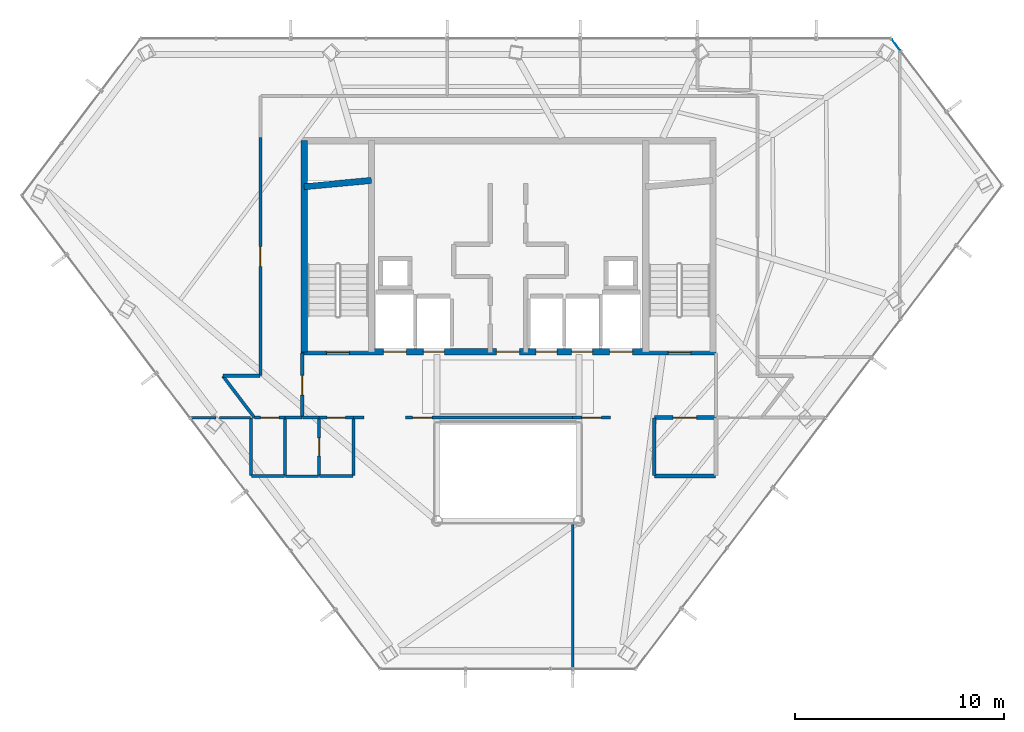
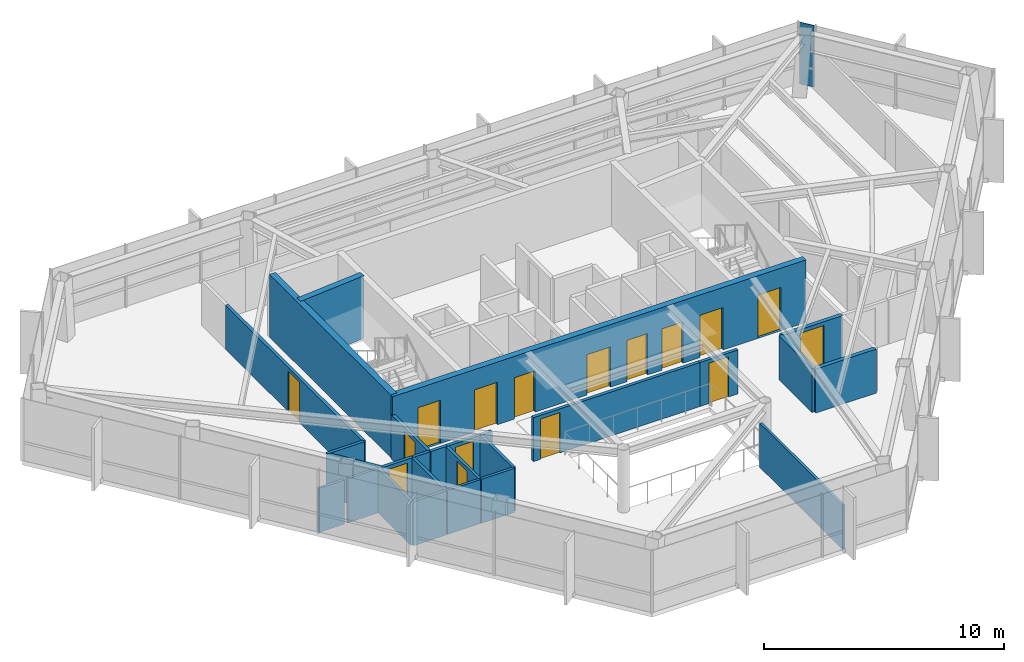
# One storey, part 24 of 27: 27 walls, 16 doors, 1 plate, 16 openings, 1 element without a shape of its own.
"""IFC4 building model written with IfcOpenShell, lengths in metres."""

from ifc_helpers import new_model, si_unit, direction, frame, frame_2d, origin, origin_2d, place, context, subcontext, project, spatial, rectangle, extrude, material, layer, layer_set, type_object, element, fill, aggregate, save


model = new_model("IFC4")

# Units and contexts
model_context = context("Model", 3, precision=1e-05, world=origin(), true_north=direction((0.0, 1.0)))
body_context = subcontext(model_context, "Body", "Model", "MODEL_VIEW")
ifc_project = project(units=[si_unit("LENGTHUNIT", "METRE"), si_unit("AREAUNIT", "SQUARE_METRE"), si_unit("VOLUMEUNIT", "CUBIC_METRE"), si_unit("PLANEANGLEUNIT", "RADIAN"), si_unit("MASSUNIT", "GRAM", prefix="KILO")], contexts=[model_context])

# Site, building, storey
site_placement = place(None, origin())
site = spatial("IfcSite", under=ifc_project, at=site_placement, CompositionType="ELEMENT")
building_placement = place(site_placement, origin())
building = spatial("IfcBuilding", under=site, at=building_placement, Name="Zarrinselat Tower", CompositionType="ELEMENT")
storey_placement = place(building_placement, frame((0.0, 0.0, 225.760009765625)))
storey = spatial("IfcBuildingStorey", under=building, at=storey_placement, Name="L56", CompositionType="ELEMENT", Elevation=225.760009765625)

# Curtain wall, plate
ifc_material_1 = material(Name="Extruded Aluminium Alloy EN AW-6063 T6", Category="aluminium")
ifc_layer_1 = layer(ifc_material_1, 0.169921875)
ifc_layer_set_1 = layer_set([ifc_layer_1], Name="Extruded Aluminium Alloy EN AW-6063 T6")
curtain_wall_type = type_object("IfcCurtainWallType", Name="CWS-RES", PredefinedType="NOTDEFINED", material=ifc_layer_set_1)
curtain_wall_placement = place(storey_placement, origin())
curtain_wall = element("IfcCurtainWall", 1, at=curtain_wall_placement, inside=storey, type_object=curtain_wall_type, Name="L56 Unitised Curtain Wall CW-L56-E06", PredefinedType="NOTDEFINED")
ifc_material_2 = material(Name="Double Low-E Laminated Solar Glass", Category="glass")
ifc_layer_2 = layer(ifc_material_2, 0.028076171875)
ifc_layer_set_2 = layer_set([ifc_layer_2], Name="Double Low-E Laminated Solar Glass")
plate_type = type_object("IfcPlateType", Name="PLT-CW-GL28", PredefinedType="CURTAIN_PANEL", material=ifc_layer_set_2)
plate_placement = place(storey_placement, frame((56.968994140625, 47.991455078125, 0.02001953125), z_axis=(0.0, 0.0, 1.0), x_axis=(-0.603860312232, 0.797090160089, 0.0)))
plate = element("IfcPlate", 2, at=plate_placement, type_object=plate_type, Name="CW-L56-E06 Vision Glass Panel 3", PredefinedType="CURTAIN_PANEL", context=body_context, shape_type="SweptSolid", body=[
    extrude(rectangle(XDim=0.659912109375, YDim=0.028076171875, at=origin_2d()), origin(), (0.0, 0.0, 1.0), 3.139892578125),
])
aggregate(curtain_wall, [plate])

# Wall, opening, door
ifc_material_3 = material(Name="Concrete C40/50", Category="concrete")
ifc_layer_3 = layer(ifc_material_3, 0.18994140625)
ifc_layer_set_3 = layer_set([ifc_layer_3], Name="Concrete C40/50")
wall_type_1 = type_object("IfcWallType", Name="WAL-PART-EI120", PredefinedType="PARTITIONING", material=ifc_layer_set_3)
wall_1_placement = place(storey_placement, frame((45.405029296875, 30.14990234375, 0.0), z_axis=(0.0, 0.0, 1.0), x_axis=(1.0, 0.0, 0.0)))
wall_1 = element("IfcWall", 3, at=wall_1_placement, inside=storey, type_object=wall_type_1, Name="L56 Partition Wall 11", PredefinedType="PARTITIONING", context=body_context, shape_type="SweptSolid", body=[
    extrude(rectangle(XDim=2.925048828125, YDim=0.18994140625, at=frame_2d((1.46240234375, 0.0))), origin(), (0.0, 0.0, 1.0), 2.235107421875),
])
opening_1_placement = place(wall_1_placement, frame((0.902587890625, 0.0, 0.0)))
opening_1 = element("IfcOpeningElement", 4, at=opening_1_placement, cuts=wall_1, Name="Opening ID-02", PredefinedType="OPENING", context=body_context, shape_type="SweptSolid", body=[
    extrude(rectangle(XDim=1.1201171875, YDim=2.050048828125, at=frame_2d((0.56005859375, 1.02490234375))), frame((0.0, 0.10498046875, 0.0), z_axis=(0.0, -1.0, 0.0), x_axis=(1.0, 0.0, 0.0)), (0.0, 0.0, 1.0), 0.2099609375),
])
ifc_material_4 = material(Name="Steel S355J2", Category="steel")
door_type_1 = type_object("IfcDoorType", Name="DR-INT-FD60-W", OperationType="NOTDEFINED", PredefinedType="DOOR", material=ifc_material_4)
door_1_placement = place(opening_1_placement, origin())
door_1 = element("IfcDoor", 5, at=door_1_placement, inside=storey, type_object=door_type_1, Name="L56 Interior Door P11", OperationType="SINGLE_SWING_RIGHT", OverallHeight=2.050048828125, OverallWidth=1.1201171875, PredefinedType="DOOR", context=body_context, shape_type="SweptSolid", body=[
    extrude(rectangle(XDim=1.1201171875, YDim=2.050048828125, at=frame_2d((0.56005859375, 1.02490234375))), frame((0.0, 0.02490234375, 0.0), z_axis=(0.0, -1.0, 0.0), x_axis=(1.0, 0.0, 0.0)), (0.0, 0.0, 1.0), 0.050048828125),
])
fill(opening_1, door_1)

# Walls
wall_2_placement = place(storey_placement, frame((45.419921875, 27.35009765625, 0.0), z_axis=(0.0, 0.0, 1.0), x_axis=(1.0, 0.0, 0.0)))
element("IfcWall", 6, at=wall_2_placement, inside=storey, type_object=wall_type_1, Name="L56 Partition Wall 19", PredefinedType="PARTITIONING", context=body_context, shape_type="SweptSolid", body=[
    extrude(rectangle(XDim=2.91015625, YDim=0.18994140625, at=frame_2d((1.455078125, 0.0))), origin(), (0.0, 0.0, 1.0), 2.235107421875),
])
wall_3_placement = place(storey_placement, frame((45.39990234375, 27.3701171875, 0.0), z_axis=(0.0, 0.0, 1.0), x_axis=(0.0, 1.0, 0.0)))
element("IfcWall", 7, at=wall_3_placement, inside=storey, type_object=wall_type_1, Name="L56 Partition Wall 20", PredefinedType="PARTITIONING", context=body_context, shape_type="SweptSolid", body=[
    extrude(rectangle(XDim=2.759765625, YDim=0.18994140625, at=frame_2d((1.3798828125, 0.0))), origin(), (0.0, 0.0, 1.0), 2.235107421875),
])

# Wall, opening, door
ifc_material_5 = material(Name="Fire-Rated Gypsum Board Partition", Category="gypsum")
ifc_layer_4 = layer(ifc_material_5, 0.14990234375)
ifc_layer_set_4 = layer_set([ifc_layer_4], Name="Fire-Rated Gypsum Board Partition")
wall_type_2 = type_object("IfcWallType", Name="WAL-PART-EI60", PredefinedType="PARTITIONING", material=ifc_layer_set_4)
wall_4_placement = place(storey_placement, frame((28.550048828125, 30.169921875, 0.0), z_axis=(0.0, 0.0, 1.0), x_axis=(0.0, 1.0, 0.0)))
wall_4 = element("IfcWall", 8, at=wall_4_placement, inside=storey, type_object=wall_type_2, Name="L56 Partition Wall 12", PredefinedType="PARTITIONING", context=body_context, shape_type="SweptSolid", body=[
    extrude(rectangle(XDim=3.06005859375, YDim=0.14990234375, at=frame_2d((1.530029296875, 0.0))), origin(), (0.0, 0.0, 1.0), 2.235107421875),
])
opening_2_placement = place(wall_4_placement, frame((1.06005859375, 0.0, 0.0)))
opening_2 = element("IfcOpeningElement", 9, at=opening_2_placement, cuts=wall_4, Name="Opening ID-04", PredefinedType="OPENING", context=body_context, shape_type="SweptSolid", body=[
    extrude(rectangle(XDim=0.93994140625, YDim=2.050048828125, at=frame_2d((0.469970703125, 1.02490234375))), frame((0.0, 0.0849609375, 0.0), z_axis=(0.0, -1.0, 0.0), x_axis=(1.0, 0.0, 0.0)), (0.0, 0.0, 1.0), 0.169921875),
])
ifc_material_6 = material(Name="Fire-Rated Gypsum Board Partition")
door_type_2 = type_object("IfcDoorType", Name="DR-INT-FD30-ENT", OperationType="NOTDEFINED", PredefinedType="DOOR", material=ifc_material_6)
door_2_placement = place(opening_2_placement, origin())
door_2 = element("IfcDoor", 10, at=door_2_placement, inside=storey, type_object=door_type_2, Name="L56 Interior Door P12", OperationType="SINGLE_SWING_LEFT", OverallHeight=2.050048828125, OverallWidth=0.93994140625, PredefinedType="DOOR", context=body_context, shape_type="SweptSolid", body=[
    extrude(rectangle(XDim=0.93994140625, YDim=2.050048828125, at=frame_2d((0.469970703125, 1.02490234375))), frame((0.0, 0.02490234375, 0.0), z_axis=(0.0, -1.0, 0.0), x_axis=(1.0, 0.0, 0.0)), (0.0, 0.0, 1.0), 0.050048828125),
])
fill(opening_2, door_2)

wall_5_placement = place(storey_placement, frame((29.364990234375, 30.14990234375, 0.0), z_axis=(0.0, 0.0, 1.0), x_axis=(1.0, 0.0, 0.0)))
wall_5 = element("IfcWall", 11, at=wall_5_placement, inside=storey, type_object=wall_type_2, Name="L56 Partition Wall 14", PredefinedType="PARTITIONING", context=body_context, shape_type="SweptSolid", body=[
    extrude(rectangle(XDim=1.630126953125, YDim=0.14990234375, at=frame_2d((0.81494140625, 0.0))), origin(), (0.0, 0.0, 1.0), 2.235107421875),
])
opening_3_placement = place(wall_5_placement, frame((0.375, 0.0, 0.0)))
opening_3 = element("IfcOpeningElement", 12, at=opening_3_placement, cuts=wall_5, Name="Opening ID-03", PredefinedType="OPENING", context=body_context, shape_type="SweptSolid", body=[
    extrude(rectangle(XDim=0.8798828125, YDim=2.050048828125, at=frame_2d((0.43994140625, 1.02490234375))), frame((0.0, 0.0849609375, 0.0), z_axis=(0.0, -1.0, 0.0), x_axis=(1.0, 0.0, 0.0)), (0.0, 0.0, 1.0), 0.169921875),
])
ifc_material_7 = material(Name="Steel S355J2", Category="steel")
door_type_3 = type_object("IfcDoorType", Name="DR-INT-FD60-S", OperationType="NOTDEFINED", PredefinedType="DOOR", material=ifc_material_7)
door_3_placement = place(opening_3_placement, origin())
door_3 = element("IfcDoor", 13, at=door_3_placement, inside=storey, type_object=door_type_3, Name="L56 Interior Door P14", OperationType="SINGLE_SWING_RIGHT", OverallHeight=2.050048828125, OverallWidth=0.8798828125, PredefinedType="DOOR", context=body_context, shape_type="SweptSolid", body=[
    extrude(rectangle(XDim=0.8798828125, YDim=2.050048828125, at=frame_2d((0.43994140625, 1.02490234375))), frame((0.0, 0.02490234375, 0.0), z_axis=(0.0, -1.0, 0.0), x_axis=(1.0, 0.0, 0.0)), (0.0, 0.0, 1.0), 0.050048828125),
])
fill(opening_3, door_3)

# Wall
wall_6_placement = place(storey_placement, frame((28.570068359375, 30.14990234375, 0.0), z_axis=(0.0, 0.0, 1.0), x_axis=(1.0, 0.0, 0.0)))
element("IfcWall", 14, at=wall_6_placement, inside=storey, type_object=wall_type_2, Name="L56 Partition Wall 15", PredefinedType="PARTITIONING", context=body_context, shape_type="SweptSolid", body=[
    extrude(rectangle(XDim=0.784912109375, YDim=0.14990234375, at=frame_2d((0.392578125, 0.0))), origin(), (0.0, 0.0, 1.0), 2.235107421875),
])

# Wall, opening, door
wall_7_placement = place(storey_placement, frame((33.485107421875, 30.14990234375, 0.0), z_axis=(0.0, 0.0, 1.0), x_axis=(1.0, 0.0, 0.0)))
wall_7 = element("IfcWall", 15, at=wall_7_placement, inside=storey, type_object=wall_type_2, Name="L56 Partition Wall 16", PredefinedType="PARTITIONING", context=body_context, shape_type="SweptSolid", body=[
    extrude(rectangle(XDim=8.02978515625, YDim=0.14990234375, at=frame_2d((4.014892578125, 0.0))), origin(), (0.0, 0.0, 1.0), 2.235107421875),
])
opening_4_placement = place(wall_7_placement, frame((0.344970703125, 0.0, 0.0)))
opening_4 = element("IfcOpeningElement", 16, at=opening_4_placement, cuts=wall_7, Name="Opening ID-04", PredefinedType="OPENING", context=body_context, shape_type="SweptSolid", body=[
    extrude(rectangle(XDim=0.93994140625, YDim=2.050048828125, at=frame_2d((0.469970703125, 1.02490234375))), frame((0.0, 0.0849609375, 0.0), z_axis=(0.0, -1.0, 0.0), x_axis=(1.0, 0.0, 0.0)), (0.0, 0.0, 1.0), 0.169921875),
])
door_4_placement = place(opening_4_placement, origin())
door_4 = element("IfcDoor", 17, at=door_4_placement, inside=storey, type_object=door_type_2, Name="L56 Interior Door P16", OperationType="SINGLE_SWING_LEFT", OverallHeight=2.050048828125, OverallWidth=0.93994140625, PredefinedType="DOOR", context=body_context, shape_type="SweptSolid", body=[
    extrude(rectangle(XDim=0.93994140625, YDim=2.050048828125, at=frame_2d((0.469970703125, 1.02490234375))), frame((0.0, 0.02490234375, 0.0), z_axis=(0.0, -1.0, 0.0), x_axis=(1.0, 0.0, 0.0)), (0.0, 0.0, 1.0), 0.050048828125),
])
fill(opening_4, door_4)

# Wall
wall_8_placement = place(storey_placement, frame((31.0048828125, 30.14990234375, 0.0), z_axis=(0.0, 0.0, 1.0), x_axis=(1.0, 0.0, 0.0)))
element("IfcWall", 18, at=wall_8_placement, inside=storey, type_object=wall_type_2, Name="L56 Partition Wall 17", PredefinedType="PARTITIONING", context=body_context, shape_type="SweptSolid", body=[
    extrude(rectangle(XDim=0.510009765625, YDim=0.14990234375, at=frame_2d((0.2548828125, 0.0))), origin(), (0.0, 0.0, 1.0), 2.235107421875),
])

# Wall, opening, door
wall_9_placement = place(storey_placement, frame((41.485107421875, 30.14990234375, 0.0), z_axis=(0.0, 0.0, 1.0), x_axis=(1.0, 0.0, 0.0)))
wall_9 = element("IfcWall", 19, at=wall_9_placement, inside=storey, type_object=wall_type_2, Name="L56 Partition Wall 18", PredefinedType="PARTITIONING", context=body_context, shape_type="SweptSolid", body=[
    extrude(rectangle(XDim=1.829833984375, YDim=0.14990234375, at=frame_2d((0.9150390625, 0.0))), origin(), (0.0, 0.0, 1.0), 2.235107421875),
])
opening_5_placement = place(wall_9_placement, frame((0.445068359375, 0.0, 0.0)))
opening_5 = element("IfcOpeningElement", 20, at=opening_5_placement, cuts=wall_9, Name="Opening ID-04", PredefinedType="OPENING", context=body_context, shape_type="SweptSolid", body=[
    extrude(rectangle(XDim=0.93994140625, YDim=2.050048828125, at=frame_2d((0.469970703125, 1.02490234375))), frame((0.0, 0.0849609375, 0.0), z_axis=(0.0, -1.0, 0.0), x_axis=(1.0, 0.0, 0.0)), (0.0, 0.0, 1.0), 0.169921875),
])
door_5_placement = place(opening_5_placement, origin())
door_5 = element("IfcDoor", 21, at=door_5_placement, inside=storey, type_object=door_type_2, Name="L56 Interior Door P18", OperationType="SINGLE_SWING_RIGHT", OverallHeight=2.050048828125, OverallWidth=0.93994140625, PredefinedType="DOOR", context=body_context, shape_type="SweptSolid", body=[
    extrude(rectangle(XDim=0.93994140625, YDim=2.050048828125, at=frame_2d((0.469970703125, 1.02490234375))), frame((0.0, 0.02490234375, 0.0), z_axis=(0.0, -1.0, 0.0), x_axis=(1.0, 0.0, 0.0)), (0.0, 0.0, 1.0), 0.050048828125),
])
fill(opening_5, door_5)

wall_10_placement = place(storey_placement, frame((26.27490234375, 30.14990234375, 0.0), z_axis=(0.0, 0.0, 1.0), x_axis=(1.0, 0.0, 0.0)))
wall_10 = element("IfcWall", 22, at=wall_10_placement, inside=storey, type_object=wall_type_2, Name="L56 Partition Wall 22", PredefinedType="PARTITIONING", context=body_context, shape_type="SweptSolid", body=[
    extrude(rectangle(XDim=1.4501953125, YDim=0.14990234375, at=frame_2d((0.72509765625, 0.0))), origin(), (0.0, 0.0, 1.0), 2.235107421875),
])
opening_6_placement = place(wall_10_placement, frame((0.28515625, 0.0, 0.0)))
opening_6 = element("IfcOpeningElement", 23, at=opening_6_placement, cuts=wall_10, Name="Opening ID-03", PredefinedType="OPENING", context=body_context, shape_type="SweptSolid", body=[
    extrude(rectangle(XDim=0.8798828125, YDim=2.050048828125, at=frame_2d((0.43994140625, 1.02490234375))), frame((0.0, 0.0849609375, 0.0), z_axis=(0.0, -1.0, 0.0), x_axis=(1.0, 0.0, 0.0)), (0.0, 0.0, 1.0), 0.169921875),
])
door_6_placement = place(opening_6_placement, origin())
door_6 = element("IfcDoor", 24, at=door_6_placement, inside=storey, type_object=door_type_3, Name="L56 Interior Door P22", OperationType="SINGLE_SWING_LEFT", OverallHeight=2.050048828125, OverallWidth=0.8798828125, PredefinedType="DOOR", context=body_context, shape_type="SweptSolid", body=[
    extrude(rectangle(XDim=0.8798828125, YDim=2.050048828125, at=frame_2d((0.43994140625, 1.02490234375))), frame((0.0, 0.02490234375, 0.0), z_axis=(0.0, -1.0, 0.0), x_axis=(1.0, 0.0, 0.0)), (0.0, 0.0, 1.0), 0.050048828125),
])
fill(opening_6, door_6)

# Walls
wall_11_placement = place(storey_placement, frame((27.735107421875, 30.14990234375, 0.0), z_axis=(0.0, 0.0, 1.0), x_axis=(1.0, 0.0, 0.0)))
element("IfcWall", 25, at=wall_11_placement, inside=storey, type_object=wall_type_2, Name="L56 Partition Wall 23", PredefinedType="PARTITIONING", context=body_context, shape_type="SweptSolid", body=[
    extrude(rectangle(XDim=0.794921875, YDim=0.14990234375, at=frame_2d((0.3974609375, 0.0))), origin(), (0.0, 0.0, 1.0), 2.235107421875),
])
wall_12_placement = place(storey_placement, frame((24.7568359375, 32.134033203125, 0.0), z_axis=(0.0, 0.0, 1.0), x_axis=(0.603806698968, -0.797130773638, 0.0)))
element("IfcWall", 26, at=wall_12_placement, inside=storey, type_object=wall_type_2, Name="L56 Partition Wall 25", PredefinedType="PARTITIONING", context=body_context, shape_type="SweptSolid", body=[
    extrude(rectangle(XDim=2.489013671875, YDim=0.14990234375, at=frame_2d((1.24462890625, 0.0))), origin(), (0.0, 0.0, 1.0), 2.235107421875),
])
wall_13_placement = place(storey_placement, frame((24.7646484375, 32.14990234375, 0.0), z_axis=(0.0, 0.0, 1.0), x_axis=(1.0, 0.0, 0.0)))
element("IfcWall", 27, at=wall_13_placement, inside=storey, type_object=wall_type_2, Name="L56 Partition Wall 26", PredefinedType="PARTITIONING", context=body_context, shape_type="SweptSolid", body=[
    extrude(rectangle(XDim=1.765380859375, YDim=0.14990234375, at=frame_2d((0.8828125, 0.0))), origin(), (0.0, 0.0, 1.0), 2.235107421875),
])

# Wall, opening, door
wall_14_placement = place(storey_placement, frame((26.550048828125, 32.169921875, 0.0), z_axis=(0.0, 0.0, 1.0), x_axis=(0.0, 1.0, 0.0)))
wall_14 = element("IfcWall", 28, at=wall_14_placement, inside=storey, type_object=wall_type_2, Name="L56 Partition Wall 27", PredefinedType="PARTITIONING", context=body_context, shape_type="SweptSolid", body=[
    extrude(rectangle(XDim=11.380126953125, YDim=0.14990234375, at=frame_2d((5.68994140625, 0.0))), origin(), (0.0, 0.0, 1.0), 2.235107421875),
])
opening_7_placement = place(wall_14_placement, frame((5.219970703125, 0.0, 0.0)))
opening_7 = element("IfcOpeningElement", 29, at=opening_7_placement, cuts=wall_14, Name="Opening ID-04", PredefinedType="OPENING", context=body_context, shape_type="SweptSolid", body=[
    extrude(rectangle(XDim=0.93994140625, YDim=2.050048828125, at=frame_2d((0.469970703125, 1.02490234375))), frame((0.0, 0.0849609375, 0.0), z_axis=(0.0, -1.0, 0.0), x_axis=(1.0, 0.0, 0.0)), (0.0, 0.0, 1.0), 0.169921875),
])
door_7_placement = place(opening_7_placement, origin())
door_7 = element("IfcDoor", 30, at=door_7_placement, inside=storey, type_object=door_type_2, Name="L56 Interior Door P27", OperationType="SINGLE_SWING_LEFT", OverallHeight=2.050048828125, OverallWidth=0.93994140625, PredefinedType="DOOR", context=body_context, shape_type="SweptSolid", body=[
    extrude(rectangle(XDim=0.93994140625, YDim=2.050048828125, at=frame_2d((0.469970703125, 1.02490234375))), frame((0.0, 0.02490234375, 0.0), z_axis=(0.0, -1.0, 0.0), x_axis=(1.0, 0.0, 0.0)), (0.0, 0.0, 1.0), 0.050048828125),
])
fill(opening_7, door_7)

# Walls
ifc_material_8 = material(Name="Fire-Rated Gypsum Board Partition", Category="gypsum")
ifc_layer_5 = layer(ifc_material_8, 0.1201171875)
ifc_layer_set_5 = layer_set([ifc_layer_5], Name="Fire-Rated Gypsum Board Partition")
wall_type_3 = type_object("IfcWallType", Name="WAL-PART-STD", PredefinedType="PARTITIONING", material=ifc_layer_set_5)
wall_15_placement = place(storey_placement, frame((27.75, 27.35009765625, 0.0), z_axis=(0.0, 0.0, 1.0), x_axis=(1.0, 0.0, 0.0)))
element("IfcWall", 31, at=wall_15_placement, inside=storey, type_object=wall_type_3, Name="L56 Partition Wall 45", PredefinedType="PARTITIONING", context=body_context, shape_type="SweptSolid", body=[
    extrude(rectangle(XDim=1.590087890625, YDim=0.1201171875, at=frame_2d((0.794921875, 0.0))), origin(), (0.0, 0.0, 1.0), 2.235107421875),
])
wall_16_placement = place(storey_placement, frame((41.5, 18.131591796875, 0.0), z_axis=(0.0, 0.0, 1.0), x_axis=(0.0, 1.0, 0.0)))
element("IfcWall", 32, at=wall_16_placement, inside=storey, type_object=wall_type_3, Name="L56 Partition Wall 46", PredefinedType="PARTITIONING", context=body_context, shape_type="SweptSolid", body=[
    extrude(rectangle(XDim=6.888427734375, YDim=0.1201171875, at=frame_2d((3.4443359375, 0.0))), origin(), (0.0, 0.0, 1.0), 2.235107421875),
])
wall_17_placement = place(storey_placement, frame((23.188720703125, 30.14990234375, 0.0), z_axis=(0.0, 0.0, 1.0), x_axis=(1.0, 0.0, 0.0)))
element("IfcWall", 33, at=wall_17_placement, inside=storey, type_object=wall_type_3, Name="L56 Partition Wall 47", PredefinedType="PARTITIONING", context=body_context, shape_type="SweptSolid", body=[
    extrude(rectangle(XDim=1.22412109375, YDim=0.1201171875, at=frame_2d((0.612060546875, 0.0))), origin(), (0.0, 0.0, 1.0), 2.235107421875),
])
wall_18_placement = place(storey_placement, frame((24.587158203125, 30.14990234375, 0.0), z_axis=(0.0, 0.0, 1.0), x_axis=(1.0, 0.0, 0.0)))
element("IfcWall", 34, at=wall_18_placement, inside=storey, type_object=wall_type_3, Name="L56 Partition Wall 48", PredefinedType="PARTITIONING", context=body_context, shape_type="SweptSolid", body=[
    extrude(rectangle(XDim=1.492919921875, YDim=0.1201171875, at=frame_2d((0.74658203125, 0.0))), origin(), (0.0, 0.0, 1.0), 2.235107421875),
])

# Wall, opening, door
ifc_material_9 = material(Name="Fire-Rated Gypsum Board Partition", Category="gypsum")
ifc_layer_6 = layer(ifc_material_9, 0.135009765625)
ifc_layer_set_6 = layer_set([ifc_layer_6], Name="Fire-Rated Gypsum Board Partition")
wall_type_4 = type_object("IfcWallType", Name="WAL-PART-WET", PredefinedType="PARTITIONING", material=ifc_layer_set_6)
wall_19_placement = place(storey_placement, frame((29.360107421875, 27.3701171875, 0.0), z_axis=(0.0, 0.0, 1.0), x_axis=(0.0, 1.0, 0.0)))
wall_19 = element("IfcWall", 35, at=wall_19_placement, inside=storey, type_object=wall_type_4, Name="L56 Partition Wall 39", PredefinedType="PARTITIONING", context=body_context, shape_type="SweptSolid", body=[
    extrude(rectangle(XDim=2.759765625, YDim=0.135009765625, at=frame_2d((1.3798828125, 0.0))), origin(), (0.0, 0.0, 1.0), 2.235107421875),
])
opening_8_placement = place(wall_19_placement, frame((0.949951171875, 0.0, 0.0)))
opening_8 = element("IfcOpeningElement", 36, at=opening_8_placement, cuts=wall_19, Name="Opening ID-06", PredefinedType="OPENING", context=body_context, shape_type="SweptSolid", body=[
    extrude(rectangle(XDim=0.860107421875, YDim=2.050048828125, at=frame_2d((0.43017578125, 1.02490234375))), frame((0.0, 0.077392578125, 0.0), z_axis=(0.0, -1.0, 0.0), x_axis=(1.0, 0.0, 0.0)), (0.0, 0.0, 1.0), 0.155029296875),
])
ifc_material_10 = material(Name="Extruded Aluminium Alloy EN AW-6063 T6", Category="aluminium")
door_type_4 = type_object("IfcDoorType", Name="DR-INT-WET-900", OperationType="NOTDEFINED", PredefinedType="DOOR", material=ifc_material_10)
door_8_placement = place(opening_8_placement, origin())
door_8 = element("IfcDoor", 37, at=door_8_placement, inside=storey, type_object=door_type_4, Name="L56 Interior Door P39", OperationType="SINGLE_SWING_LEFT", OverallHeight=2.050048828125, OverallWidth=0.860107421875, PredefinedType="DOOR", context=body_context, shape_type="SweptSolid", body=[
    extrude(rectangle(XDim=0.860107421875, YDim=2.050048828125, at=frame_2d((0.43017578125, 1.02490234375))), frame((0.0, 0.02490234375, 0.0), z_axis=(0.0, -1.0, 0.0), x_axis=(1.0, 0.0, 0.0)), (0.0, 0.0, 1.0), 0.050048828125),
])
fill(opening_8, door_8)

# Walls
wall_20_placement = place(storey_placement, frame((29.3798828125, 27.35009765625, 0.0), z_axis=(0.0, 0.0, 1.0), x_axis=(1.0, 0.0, 0.0)))
element("IfcWall", 38, at=wall_20_placement, inside=storey, type_object=wall_type_4, Name="L56 Partition Wall 40", PredefinedType="PARTITIONING", context=body_context, shape_type="SweptSolid", body=[
    extrude(rectangle(XDim=1.60009765625, YDim=0.135009765625, at=frame_2d((0.800048828125, 0.0))), origin(), (0.0, 0.0, 1.0), 2.235107421875),
])
for number, where, z_axis, x_axis, name in (
    (39, (31.0, 27.3701171875, 0.0), (0.0, 0.0, 1.0), (0.0, 1.0, 0.0), "L56 Partition Wall 41"),
    (40, (27.72998046875, 27.3701171875, 0.0), (0.0, 0.0, 1.0), (0.0, 1.0, 0.0), "L56 Partition Wall 42"),
):
    element("IfcWall", number, at=place(storey_placement, frame(where, z_axis=z_axis, x_axis=x_axis)), inside=storey, type_object=wall_type_4, Name=name, PredefinedType="PARTITIONING", context=body_context, shape_type="SweptSolid", body=[
        extrude(rectangle(XDim=2.759765625, YDim=0.135009765625, at=frame_2d((1.3798828125, 0.0))), origin(), (0.0, 0.0, 1.0), 2.235107421875),
    ])
wall_21_placement = place(storey_placement, frame((26.1201171875, 27.35009765625, 0.0), z_axis=(0.0, 0.0, 1.0), x_axis=(1.0, 0.0, 0.0)))
element("IfcWall", 41, at=wall_21_placement, inside=storey, type_object=wall_type_4, Name="L56 Partition Wall 43", PredefinedType="PARTITIONING", context=body_context, shape_type="SweptSolid", body=[
    extrude(rectangle(XDim=1.58984375, YDim=0.135009765625, at=frame_2d((0.794921875, 0.0))), origin(), (0.0, 0.0, 1.0), 2.235107421875),
])
wall_22_placement = place(storey_placement, frame((26.10009765625, 27.3701171875, 0.0), z_axis=(0.0, 0.0, 1.0), x_axis=(0.0, 1.0, 0.0)))
element("IfcWall", 42, at=wall_22_placement, inside=storey, type_object=wall_type_4, Name="L56 Partition Wall 44", PredefinedType="PARTITIONING", context=body_context, shape_type="SweptSolid", body=[
    extrude(rectangle(XDim=2.759765625, YDim=0.135009765625, at=frame_2d((1.3798828125, 0.0))), origin(), (0.0, 0.0, 1.0), 2.235107421875),
])

# Wall, openings, doors
ifc_material_11 = material(Name="Concrete C40/50", Category="concrete")
ifc_layer_7 = layer(ifc_material_11, 0.300048828125)
ifc_layer_set_7 = layer_set([ifc_layer_7], Name="Concrete C40/50")
wall_type_5 = type_object("IfcWallType", Name="WAL-SHEAR-300", PredefinedType="SHEAR", material=ifc_layer_set_7)
wall_23_placement = place(storey_placement, frame((28.5, 33.300048828125, 0.0), z_axis=(0.0, 0.0, 1.0), x_axis=(1.0, 0.0, 0.0)))
wall_23 = element("IfcWall", 43, at=wall_23_placement, inside=storey, type_object=wall_type_5, Name="L56 South Core Shear Wall", PredefinedType="SHEAR", context=body_context, shape_type="SweptSolid", body=[
    extrude(rectangle(XDim=19.860107421875, YDim=0.300048828125, at=frame_2d((9.93017578125, 0.0))), origin(), (0.0, 0.0, 1.0), 3.179931640625),
])
opening_9_placement = place(wall_23_placement, frame((3.929931640625, 0.0, 0.0)))
opening_9 = element("IfcOpeningElement", 44, at=opening_9_placement, cuts=wall_23, Name="Opening LD-FFL1", PredefinedType="OPENING", context=body_context, shape_type="SweptSolid", body=[
    extrude(rectangle(XDim=1.10009765625, YDim=2.14990234375, at=frame_2d((0.550048828125, 1.074951171875))), frame((0.0, 0.159912109375, 0.0), z_axis=(0.0, -1.0, 0.0), x_axis=(1.0, 0.0, 0.0)), (0.0, 0.0, 1.0), 0.320068359375),
])
opening_10_placement = place(wall_23_placement, frame((14.77001953125, 0.0, 0.0)))
opening_10 = element("IfcOpeningElement", 45, at=opening_10_placement, cuts=wall_23, Name="Opening LD-FFL2", PredefinedType="OPENING", context=body_context, shape_type="SweptSolid", body=[
    extrude(rectangle(XDim=1.10009765625, YDim=2.14990234375, at=frame_2d((0.550048828125, 1.074951171875))), frame((0.0, 0.159912109375, 0.0), z_axis=(0.0, -1.0, 0.0), x_axis=(1.0, 0.0, 0.0)), (0.0, 0.0, 1.0), 0.320068359375),
])
opening_11_placement = place(wall_23_placement, frame((11.25, 0.0, 0.0)))
opening_11 = element("IfcOpeningElement", 46, at=opening_11_placement, cuts=wall_23, Name="Opening LD-PL8", PredefinedType="OPENING", context=body_context, shape_type="SweptSolid", body=[
    extrude(rectangle(XDim=1.0, YDim=2.10009765625, at=frame_2d((0.5, 1.050048828125))), frame((0.0, 0.159912109375, 0.0), z_axis=(0.0, -1.0, 0.0), x_axis=(1.0, 0.0, 0.0)), (0.0, 0.0, 1.0), 0.320068359375),
])
opening_12_placement = place(wall_23_placement, frame((12.949951171875, 0.0, 0.0)))
opening_12 = element("IfcOpeningElement", 47, at=opening_12_placement, cuts=wall_23, Name="Opening LD-PL9", PredefinedType="OPENING", context=body_context, shape_type="SweptSolid", body=[
    extrude(rectangle(XDim=1.0, YDim=2.10009765625, at=frame_2d((0.5, 1.050048828125))), frame((0.0, 0.159912109375, 0.0), z_axis=(0.0, -1.0, 0.0), x_axis=(1.0, 0.0, 0.0)), (0.0, 0.0, 1.0), 0.320068359375),
])
opening_13_placement = place(wall_23_placement, frame((5.85009765625, 0.0, 0.0)))
opening_13 = element("IfcOpeningElement", 48, at=opening_13_placement, cuts=wall_23, Name="Opening LD-PL10", PredefinedType="OPENING", context=body_context, shape_type="SweptSolid", body=[
    extrude(rectangle(XDim=1.0, YDim=2.10009765625, at=frame_2d((0.5, 1.050048828125))), frame((0.0, 0.159912109375, 0.0), z_axis=(0.0, -1.0, 0.0), x_axis=(1.0, 0.0, 0.0)), (0.0, 0.0, 1.0), 0.320068359375),
])
opening_14_placement = place(wall_23_placement, frame((1.2099609375, 0.0, 0.0)))
opening_14 = element("IfcOpeningElement", 49, at=opening_14_placement, cuts=wall_23, Name="Opening SD-01", PredefinedType="OPENING", context=body_context, shape_type="SweptSolid", body=[
    extrude(rectangle(XDim=1.10009765625, YDim=2.199951171875, at=frame_2d((0.550048828125, 1.10009765625))), frame((0.0, 0.159912109375, 0.0), z_axis=(0.0, -1.0, 0.0), x_axis=(1.0, 0.0, 0.0)), (0.0, 0.0, 1.0), 0.320068359375),
])
opening_15_placement = place(wall_23_placement, frame((9.340087890625, 0.0, 0.0)))
opening_15 = element("IfcOpeningElement", 50, at=opening_15_placement, cuts=wall_23, Name="Opening ID-02", PredefinedType="OPENING", context=body_context, shape_type="SweptSolid", body=[
    extrude(rectangle(XDim=1.1201171875, YDim=2.050048828125, at=frame_2d((0.56005859375, 1.02490234375))), frame((0.0, 0.159912109375, 0.0), z_axis=(0.0, -1.0, 0.0), x_axis=(1.0, 0.0, 0.0)), (0.0, 0.0, 1.0), 0.320068359375),
])
opening_16_placement = place(wall_23_placement, frame((17.550048828125, 0.0, 0.0)))
opening_16 = element("IfcOpeningElement", 51, at=opening_16_placement, cuts=wall_23, Name="Opening SD-01", PredefinedType="OPENING", context=body_context, shape_type="SweptSolid", body=[
    extrude(rectangle(XDim=1.10009765625, YDim=2.199951171875, at=frame_2d((0.550048828125, 1.10009765625))), frame((0.0, 0.159912109375, 0.0), z_axis=(0.0, -1.0, 0.0), x_axis=(1.0, 0.0, 0.0)), (0.0, 0.0, 1.0), 0.320068359375),
])
door_9_placement = place(opening_15_placement, origin())
door_9 = element("IfcDoor", 52, at=door_9_placement, inside=storey, type_object=door_type_1, Name="L56 Core Service Vestibule Fire Door", OperationType="SINGLE_SWING_RIGHT", OverallHeight=2.050048828125, OverallWidth=1.1201171875, PredefinedType="DOOR", context=body_context, shape_type="SweptSolid", body=[
    extrude(rectangle(XDim=1.1201171875, YDim=2.050048828125, at=frame_2d((0.56005859375, 1.02490234375))), frame((0.0, 0.02490234375, 0.0), z_axis=(0.0, -1.0, 0.0), x_axis=(1.0, 0.0, 0.0)), (0.0, 0.0, 1.0), 0.050048828125),
])
fill(opening_15, door_9)
ifc_material_12 = material(Name="Steel S355J2", Category="steel")
door_type_5 = type_object("IfcDoorType", Name="DR-LIFT-FF-1100", OperationType="NOTDEFINED", PredefinedType="DOOR", material=ifc_material_12)
door_10_placement = place(opening_9_placement, origin())
door_10 = element("IfcDoor", 53, at=door_10_placement, inside=storey, type_object=door_type_5, Name="L56 Lift FFL1 Sliding Landing Door", OperationType="SLIDING_TO_LEFT", OverallHeight=2.14990234375, OverallWidth=1.10009765625, PredefinedType="DOOR", context=body_context, shape_type="SweptSolid", body=[
    extrude(rectangle(XDim=1.10009765625, YDim=2.14990234375, at=frame_2d((0.550048828125, 1.074951171875))), frame((0.0, 0.02490234375, 0.0), z_axis=(0.0, -1.0, 0.0), x_axis=(1.0, 0.0, 0.0)), (0.0, 0.0, 1.0), 0.050048828125),
])
fill(opening_9, door_10)
door_11_placement = place(opening_10_placement, origin())
door_11 = element("IfcDoor", 54, at=door_11_placement, inside=storey, type_object=door_type_5, Name="L56 Lift FFL2 Sliding Landing Door", OperationType="SLIDING_TO_RIGHT", OverallHeight=2.14990234375, OverallWidth=1.10009765625, PredefinedType="DOOR", context=body_context, shape_type="SweptSolid", body=[
    extrude(rectangle(XDim=1.10009765625, YDim=2.14990234375, at=frame_2d((0.550048828125, 1.074951171875))), frame((0.0, 0.02490234375, 0.0), z_axis=(0.0, -1.0, 0.0), x_axis=(1.0, 0.0, 0.0)), (0.0, 0.0, 1.0), 0.050048828125),
])
fill(opening_10, door_11)
ifc_material_13 = material(Name="Steel S355J2", Category="steel")
door_type_6 = type_object("IfcDoorType", Name="DR-LIFT-PS-1000", OperationType="NOTDEFINED", PredefinedType="DOOR", material=ifc_material_13)
door_12_placement = place(opening_11_placement, origin())
door_12 = element("IfcDoor", 55, at=door_12_placement, inside=storey, type_object=door_type_6, Name="L56 Lift PL8 Sliding Landing Door", OperationType="SLIDING_TO_RIGHT", OverallHeight=2.10009765625, OverallWidth=1.0, PredefinedType="DOOR", context=body_context, shape_type="SweptSolid", body=[
    extrude(rectangle(XDim=1.0, YDim=2.10009765625, at=frame_2d((0.5, 1.050048828125))), frame((0.0, 0.02490234375, 0.0), z_axis=(0.0, -1.0, 0.0), x_axis=(1.0, 0.0, 0.0)), (0.0, 0.0, 1.0), 0.050048828125),
])
fill(opening_11, door_12)
door_13_placement = place(opening_12_placement, origin())
door_13 = element("IfcDoor", 56, at=door_13_placement, inside=storey, type_object=door_type_6, Name="L56 Lift PL9 Sliding Landing Door", OperationType="SLIDING_TO_LEFT", OverallHeight=2.10009765625, OverallWidth=1.0, PredefinedType="DOOR", context=body_context, shape_type="SweptSolid", body=[
    extrude(rectangle(XDim=1.0, YDim=2.10009765625, at=frame_2d((0.5, 1.050048828125))), frame((0.0, 0.02490234375, 0.0), z_axis=(0.0, -1.0, 0.0), x_axis=(1.0, 0.0, 0.0)), (0.0, 0.0, 1.0), 0.050048828125),
])
fill(opening_12, door_13)
door_14_placement = place(opening_13_placement, origin())
door_14 = element("IfcDoor", 57, at=door_14_placement, inside=storey, type_object=door_type_6, Name="L56 Lift PL10 Sliding Landing Door", OperationType="SLIDING_TO_RIGHT", OverallHeight=2.10009765625, OverallWidth=1.0, PredefinedType="DOOR", context=body_context, shape_type="SweptSolid", body=[
    extrude(rectangle(XDim=1.0, YDim=2.10009765625, at=frame_2d((0.5, 1.050048828125))), frame((0.0, 0.02490234375, 0.0), z_axis=(0.0, -1.0, 0.0), x_axis=(1.0, 0.0, 0.0)), (0.0, 0.0, 1.0), 0.050048828125),
])
fill(opening_13, door_14)
ifc_material_14 = material(Name="Steel S355J2", Category="steel")
door_type_7 = type_object("IfcDoorType", Name="DR-STAIR-1100", OperationType="NOTDEFINED", PredefinedType="DOOR", material=ifc_material_14)
door_15_placement = place(opening_14_placement, origin())
door_15 = element("IfcDoor", 58, at=door_15_placement, inside=storey, type_object=door_type_7, Name="L56 Exit Stair 1 Fire Door", OperationType="SINGLE_SWING_LEFT", OverallHeight=2.199951171875, OverallWidth=1.10009765625, PredefinedType="DOOR", context=body_context, shape_type="SweptSolid", body=[
    extrude(rectangle(XDim=1.10009765625, YDim=2.199951171875, at=frame_2d((0.550048828125, 1.10009765625))), frame((0.0, 0.02490234375, 0.0), z_axis=(0.0, -1.0, 0.0), x_axis=(1.0, 0.0, 0.0)), (0.0, 0.0, 1.0), 0.050048828125),
])
fill(opening_14, door_15)
door_16_placement = place(opening_16_placement, origin())
door_16 = element("IfcDoor", 59, at=door_16_placement, inside=storey, type_object=door_type_7, Name="L56 Exit Stair 2 Fire Door", OperationType="SINGLE_SWING_RIGHT", OverallHeight=2.199951171875, OverallWidth=1.10009765625, PredefinedType="DOOR", context=body_context, shape_type="SweptSolid", body=[
    extrude(rectangle(XDim=1.10009765625, YDim=2.199951171875, at=frame_2d((0.550048828125, 1.10009765625))), frame((0.0, 0.02490234375, 0.0), z_axis=(0.0, -1.0, 0.0), x_axis=(1.0, 0.0, 0.0)), (0.0, 0.0, 1.0), 0.050048828125),
])
fill(opening_16, door_16)

# Walls
wall_24_placement = place(storey_placement, frame((28.64990234375, 33.300048828125, 0.0), z_axis=(0.0, 0.0, 1.0), x_axis=(0.0, 1.0, 0.0)))
element("IfcWall", 60, at=wall_24_placement, inside=storey, type_object=wall_type_5, Name="L56 Core Shear Wall W", PredefinedType="SHEAR", context=body_context, shape_type="SweptSolid", body=[
    extrude(rectangle(XDim=10.099853515625, YDim=0.300048828125, at=frame_2d((5.0498046875, 0.0))), origin(), (0.0, 0.0, 1.0), 3.179931640625),
])
wall_25_placement = place(storey_placement, frame((28.639892578125, 41.199951171875, 0.0), z_axis=(0.0, 0.0, 1.0), x_axis=(0.995687118776, 0.092774789157, 0.0)))
element("IfcWall", 61, at=wall_25_placement, inside=storey, type_object=wall_type_5, Name="L56 Stair 1 North Shaft Wall", PredefinedType="SHEAR", context=body_context, shape_type="SweptSolid", body=[
    extrude(rectangle(XDim=3.234130859375, YDim=0.300048828125, at=frame_2d((1.6171875, 0.0))), origin(), (0.0, 0.0, 1.0), 3.179931640625),
])

save(model, "model.ifc")
